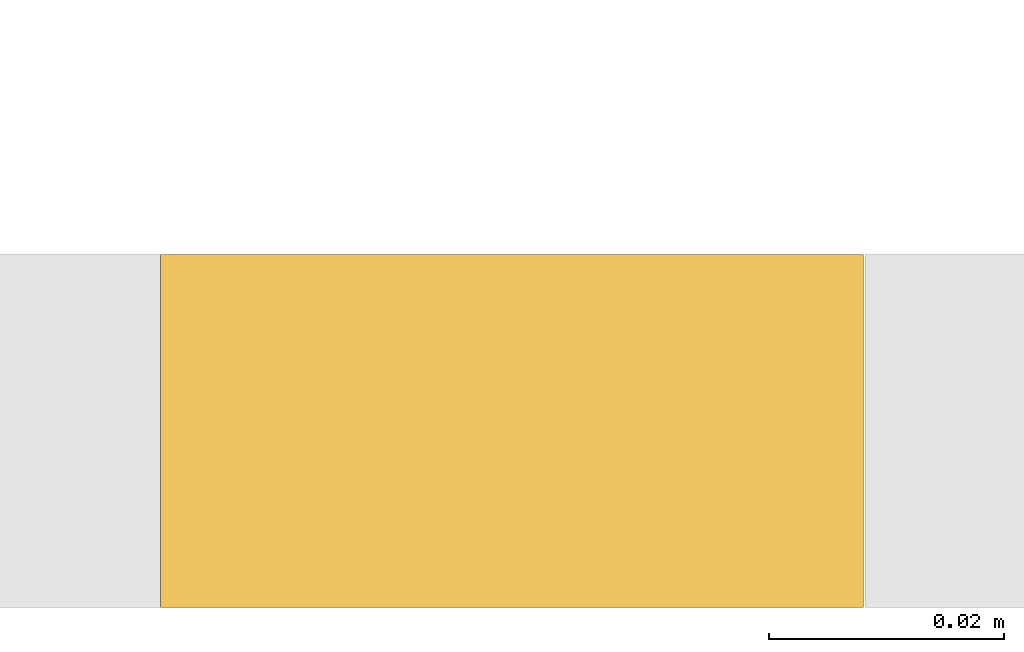
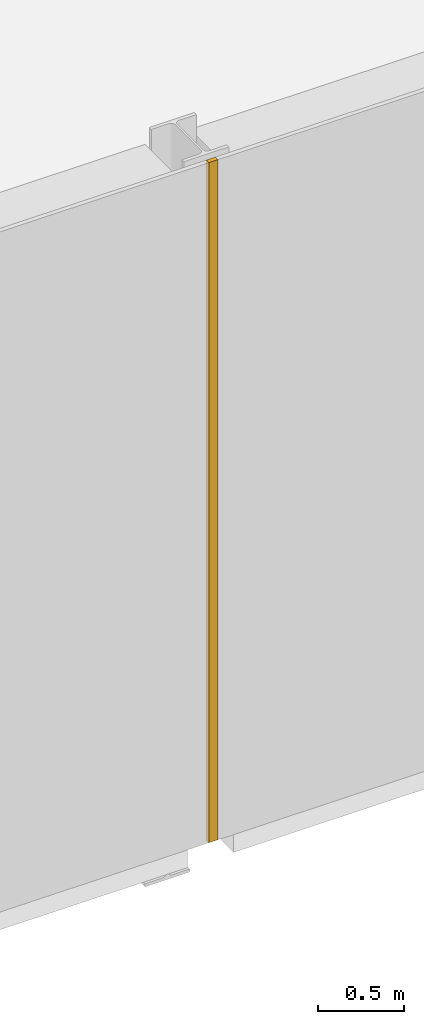
# One storey, part 47 of 52: 1 covering.
"""IFC4 building model written with IfcOpenShell, lengths in metres."""

import ifcopenshell
import ifcopenshell.guid

model = None  # the IFC model being written
_history = None  # IfcOwnerHistory: only IFC2X3 demands one
_inside = {}  # id of a spatial element -> (the spatial element, [elements in it])
_under = {}  # id of a project, library or spatial element -> (it, [spatial elements below it])
_declared = {}  # id of a project -> (the project, [libraries it declares])
_typed = {}  # id of a type object -> (the type object, [elements of that type])
_made_of = {}  # id of a material, layer set ... -> (it, [elements and type objects made of it])


def new_model(schema):
    """Start an empty IFC model of exactly this schema.

    Asked for "IFC4X3", IfcOpenShell would pick the latest addendum, in which some entities
    have other attributes; the version numbers below select the first issue.
    IFC2X3 requires an IfcOwnerHistory on every rooted entity: one is made here for all.
    """
    global model, _history
    if schema == "IFC4X3":
        model = ifcopenshell.file(schema_version=(4, 3, 0, 0))
    else:
        model = ifcopenshell.file(schema=schema)
    _inside.clear()
    _under.clear()
    _declared.clear()
    _typed.clear()
    _made_of.clear()
    _history = None
    if model.schema == "IFC2X3":
        org = make("IfcOrganization", Name="unknown")
        user = make(
            "IfcPersonAndOrganization",
            ThePerson=make("IfcPerson", FamilyName="unknown"),
            TheOrganization=org,
        )
        app = make(
            "IfcApplication",
            ApplicationDeveloper=org,
            Version="unknown",
            ApplicationFullName="unknown",
            ApplicationIdentifier="unknown",
        )
        _history = make(
            "IfcOwnerHistory",
            OwningUser=user,
            OwningApplication=app,
            ChangeAction="ADDED",
            CreationDate=0,
        )
    return model


def make(cls, **values):
    """One entity of the class cls with the attributes given. An attribute that is None is left unset."""
    return model.create_entity(
        cls, **{name: value for name, value in values.items() if value is not None}
    )


def rooted(cls, **values):
    """An entity with a GlobalId (a new one), such as an element, a storey or a relation."""
    return make(cls, GlobalId=ifcopenshell.guid.new(), OwnerHistory=_history, **values)


def si_unit(unit_type, name, prefix=None):
    """IfcSIUnit, for example si_unit("LENGTHUNIT", "METRE", prefix="MILLI")."""
    return make("IfcSIUnit", UnitType=unit_type, Prefix=prefix, Name=name)


def assignment(units):
    """IfcUnitAssignment: the units of a project."""
    return None if units is None else make("IfcUnitAssignment", Units=units)


def point(xyz):
    """IfcCartesianPoint."""
    return None if xyz is None else make("IfcCartesianPoint", Coordinates=xyz)


def direction(xyz):
    """IfcDirection."""
    return None if xyz is None else make("IfcDirection", DirectionRatios=xyz)


def frame(location, z_axis=None, x_axis=None):
    """IfcAxis2Placement3D, a coordinate frame: its origin and axes. An axis left out is left unset."""
    return make(
        "IfcAxis2Placement3D",
        Location=point(location),
        Axis=direction(z_axis),
        RefDirection=direction(x_axis),
    )


def frame_2d(location, x_axis=None):
    """IfcAxis2Placement2D, a coordinate frame in the plane: its origin and x axis."""
    return make(
        "IfcAxis2Placement2D", Location=point(location), RefDirection=direction(x_axis)
    )


def origin():
    """The frame at (0, 0, 0) with its axes left unset."""
    return frame((0.0, 0.0, 0.0))


def origin_2d():
    """The frame at (0, 0) in the plane with its x axis left unset."""
    return frame_2d((0.0, 0.0))


def place(relative_to, where):
    """IfcLocalPlacement: puts the frame where relative to a parent placement (None: the world)."""
    return make(
        "IfcLocalPlacement", PlacementRelTo=relative_to, RelativePlacement=where
    )


def context(
    kind, dimensions, precision=None, world=None, true_north=None, identifier=None
):
    """IfcGeometricRepresentationContext, for example the 3D "Model" context."""
    return make(
        "IfcGeometricRepresentationContext",
        ContextIdentifier=identifier,
        ContextType=kind,
        CoordinateSpaceDimension=dimensions,
        Precision=precision,
        WorldCoordinateSystem=world,
        TrueNorth=true_north,
    )


def subcontext(parent, identifier, kind, view, scale=None):
    """IfcGeometricRepresentationSubContext, for example "Body" below "Model"."""
    return make(
        "IfcGeometricRepresentationSubContext",
        ContextIdentifier=identifier,
        ContextType=kind,
        ParentContext=parent,
        TargetScale=scale,
        TargetView=view,
    )


def project(units=None, contexts=None):
    """IfcProject with its units and contexts."""
    return rooted(
        "IfcProject",
        Name="project",
        RepresentationContexts=contexts,
        UnitsInContext=assignment(units),
    )


def spatial(cls, under=None, at=None, **own):
    """A site, building, storey or space (cls), placed at a placement, below another one or the project."""
    s = rooted(cls, ObjectPlacement=at, **own)
    if under is not None:
        _under.setdefault(under.id(), (under, []))[1].append(s)
    return s


def profile(cls, at=None, kind="AREA", **sizes):
    """A parametric profile (cls). Its sizes go by their IFC names, for example OverallWidth=200.0."""
    return make(cls, ProfileType=kind, Position=at, **sizes)


def rectangle(**sizes):
    """IfcRectangleProfileDef."""
    return profile("IfcRectangleProfileDef", **sizes)


def extrude(swept, where, along, depth):
    """IfcExtrudedAreaSolid: the profile swept, set in the frame where, extruded along a direction by depth."""
    return make(
        "IfcExtrudedAreaSolid",
        SweptArea=swept,
        Position=where,
        ExtrudedDirection=direction(along),
        Depth=depth,
    )


def shape(context_of_items, identifier, shape_type, items):
    """IfcShapeRepresentation: the items that make up one representation, for example the "Body"."""
    return make(
        "IfcShapeRepresentation",
        ContextOfItems=context_of_items,
        RepresentationIdentifier=identifier,
        RepresentationType=shape_type,
        Items=items,
    )


def material(Name=None, Category=None):
    """IfcMaterial."""
    return make("IfcMaterial", Name=Name, Category=Category)


def layer(
    of_material, thickness, ventilated=None, Name=None, Category=None, Priority=None
):
    """IfcMaterialLayer: one layer of a wall or slab, of a material (None: an air gap)."""
    return make(
        "IfcMaterialLayer",
        Material=of_material,
        LayerThickness=thickness,
        IsVentilated=ventilated,
        Name=Name,
        Category=Category,
        Priority=Priority,
    )


def layer_set(layers, Name=None):
    """IfcMaterialLayerSet."""
    return make("IfcMaterialLayerSet", MaterialLayers=layers, LayerSetName=Name)


def made_of(thing, what):
    """Note that an element or type object is made of a material, layer set ...; save() writes the relation."""
    if what is not None:
        _made_of.setdefault(what.id(), (what, []))[1].append(thing)
    return thing


def type_object(cls, material=None, **own):
    """A type object (cls), such as IfcWallType, which elements share."""
    return made_of(rooted(cls, **own), material)


def element(
    cls,
    number,
    at=None,
    inside=None,
    cuts=None,
    type_object=None,
    material=None,
    context=None,
    identifier="Body",
    shape_type=None,
    held_by="IfcProductDefinitionShape",
    body=None,
    shapes=None,
    **own,
):
    """One element of the class cls, such as IfcWall. Its Tag is "e" and its number.

    at: its placement. inside: the storey or other place that contains it. cuts: it is an
    opening in that element (IfcRelVoidsElement). A single representation is given by context,
    identifier, shape_type and body (its items); several are given by shapes. held_by: the class
    of the entity that holds the representations. save() writes the other relations.
    """
    e = rooted(cls, Tag="e%d" % number, ObjectPlacement=at, **own)
    if body is not None:
        shapes = [shape(context, identifier, shape_type, body)]
    if shapes is not None:
        e.Representation = make(held_by, Representations=shapes)
    if inside is not None:
        _inside.setdefault(inside.id(), (inside, []))[1].append(e)
    if cuts is not None:
        rooted(
            "IfcRelVoidsElement", RelatingBuildingElement=cuts, RelatedOpeningElement=e
        )
    if type_object is not None:
        _typed.setdefault(type_object.id(), (type_object, []))[1].append(e)
    return made_of(e, material)


def aggregate(whole, parts):
    """IfcRelAggregates: a whole, such as a stair, and the parts it consists of."""
    return rooted("IfcRelAggregates", RelatingObject=whole, RelatedObjects=parts)


def save(model, path):
    """Write the relations noted so far, then the file.

    IfcRelAggregates (storeys below a building ...), IfcRelContainedInSpatialStructure (elements
    in a storey), IfcRelDefinesByType, IfcRelAssociatesMaterial and IfcRelDeclares: one each for
    every whole, place, type object, material and project.
    """
    for whole, parts in _under.values():
        aggregate(whole, parts)
    for where, things in _inside.values():
        rooted(
            "IfcRelContainedInSpatialStructure",
            RelatedElements=things,
            RelatingStructure=where,
        )
    for kind, things in _typed.values():
        rooted("IfcRelDefinesByType", RelatedObjects=things, RelatingType=kind)
    for what, things in _made_of.values():
        rooted("IfcRelAssociatesMaterial", RelatedObjects=things, RelatingMaterial=what)
    for by, libraries in _declared.values():
        rooted("IfcRelDeclares", RelatingContext=by, RelatedDefinitions=libraries)
    model.write(path)


model = new_model("IFC4")

# Units and contexts
model_context = context("Model", 3, precision=1e-05, world=origin(), true_north=direction((0.0, 1.0)))
body_context = subcontext(model_context, "Body", "Model", "MODEL_VIEW")
ifc_project = project(units=[si_unit("LENGTHUNIT", "METRE"), si_unit("AREAUNIT", "SQUARE_METRE"), si_unit("VOLUMEUNIT", "CUBIC_METRE"), si_unit("PLANEANGLEUNIT", "RADIAN"), si_unit("MASSUNIT", "GRAM", prefix="KILO")], contexts=[model_context])

# Site, building, storey
site_placement = place(None, origin())
site = spatial("IfcSite", under=ifc_project, at=site_placement, CompositionType="ELEMENT")
building_placement = place(site_placement, origin())
building = spatial("IfcBuilding", under=site, at=building_placement, Name="Galleria Vessillo Department Store", CompositionType="ELEMENT")
storey_placement = place(building_placement, frame((0.0, 0.0, 16.199951171875)))
storey = spatial("IfcBuildingStorey", under=building, at=storey_placement, Name="L03", CompositionType="ELEMENT", Elevation=16.199951171875)

# Covering
ifc_material = material(Name="Lime plaster (intonaco) ochre")
ifc_layer = layer(ifc_material, 0.030029296875)
ifc_layer_set = layer_set([ifc_layer], Name="Lime plaster (intonaco) ochre")
covering_type = type_object("IfcCoveringType", Name="Lime plaster render 30 mm", PredefinedType="CLADDING", material=ifc_layer_set)
covering_placement = place(storey_placement, frame((92.39990234375, -0.264892578125, 0.0), z_axis=(0.0, 0.0, 1.0), x_axis=(1.0, 0.0, 0.0)))
element("IfcCovering", 1, at=covering_placement, inside=storey, type_object=covering_type, Name="Joint block Wall cladding S-PS-L03-07", PredefinedType="CLADDING", context=body_context, shape_type="SweptSolid", body=[
    extrude(rectangle(XDim=0.059814453125, YDim=0.030029296875, at=origin_2d()), origin(), (0.0, 0.0, 1.0), 4.800048828125),
])

save(model, "model.ifc")
